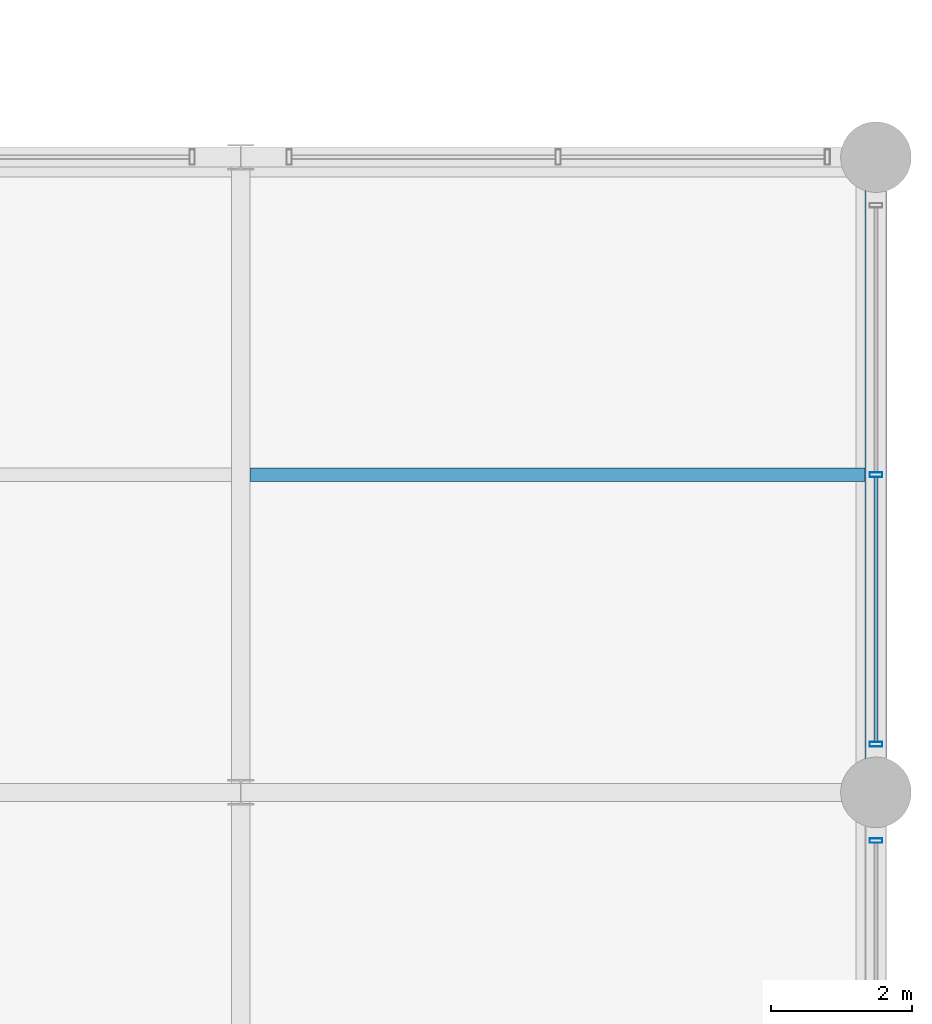
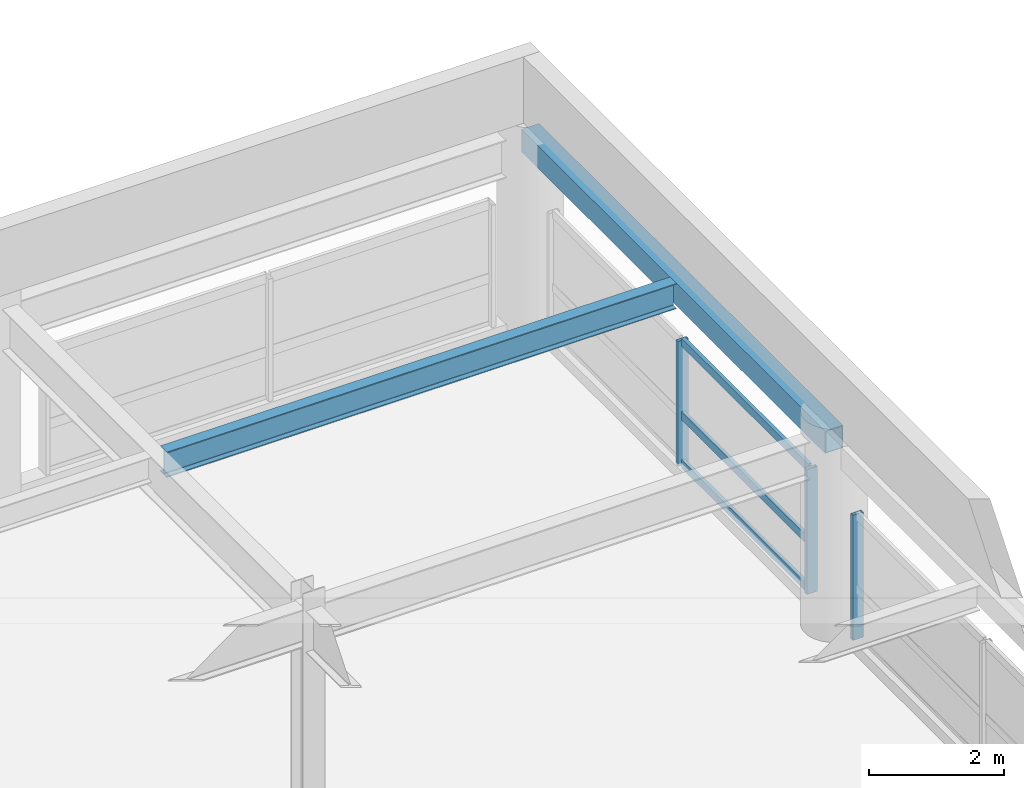
# One storey, part 58 of 108: 6 members, 2 beams, 2 elements without a shape of their own.
"""IFC4 building model written with IfcOpenShell, lengths in metres."""

from ifc_helpers import new_model, si_unit, direction, frame, origin, origin_2d, place, context, subcontext, project, spatial, hollow_rectangle, i_section, extrude, material, material_profile, profile_set, type_object, element, aggregate, save


model = new_model("IFC4")

# Units and contexts
model_context = context("Model", 3, precision=1e-05, world=origin(), true_north=direction((0.0, 1.0)))
body_context = subcontext(model_context, "Body", "Model", "MODEL_VIEW")
ifc_project = project(units=[si_unit("LENGTHUNIT", "METRE"), si_unit("AREAUNIT", "SQUARE_METRE"), si_unit("VOLUMEUNIT", "CUBIC_METRE"), si_unit("PLANEANGLEUNIT", "RADIAN"), si_unit("MASSUNIT", "GRAM", prefix="KILO")], contexts=[model_context])

# Site, building, storey
site_placement = place(None, origin())
site = spatial("IfcSite", under=ifc_project, at=site_placement, CompositionType="ELEMENT")
building_placement = place(site_placement, origin())
building = spatial("IfcBuilding", under=site, at=building_placement, Name="Kaldorvane Square Convention Centre", CompositionType="ELEMENT")
storey_placement = place(building_placement, frame((0.0, 0.0, 23.399993896484375)))
storey = spatial("IfcBuildingStorey", under=building, at=storey_placement, Name="L04", CompositionType="ELEMENT", Elevation=23.399993896484375)

# Beams
ifc_material_1 = material(Name="Steel ASTM A992 Gr. 50", Category="steel")
ifc_material_profile_1 = material_profile(ifc_material_1, i_section(OverallWidth=0.1912994384765625, OverallDepth=0.4600067138671875, WebThickness=0.0099029541015625, FlangeThickness=0.0160064697265625, FilletRadius=0.01019287109375, at=origin_2d()), Name="W18X55")
ifc_profile_set_1 = profile_set([ifc_material_profile_1], Name="Steel ASTM A992 Gr. 50")
beam_type_1 = type_object("IfcBeamType", Name="BM-JS-W18X55", PredefinedType="JOIST", material=ifc_profile_set_1)
beam_1_placement = place(storey_placement, frame((165.13330078125, 31.5, 3.2960052490234375), z_axis=(1.0, 0.0, 0.0), x_axis=(0.0, 1.0, 0.0)))
element("IfcBeam", 1, at=beam_1_placement, inside=storey, type_object=beam_type_1, Name="Secondary Floor Joist (L04)", PredefinedType="JOIST", context=body_context, shape_type="SweptSolid", body=[
    extrude(i_section(OverallWidth=0.1912994384765625, OverallDepth=0.4600067138671875, WebThickness=0.0099029541015625, FlangeThickness=0.0160064697265625, FilletRadius=0.01019287109375, at=origin_2d()), origin(), (0.0, 0.0, 1.0), 8.71429443359375),
])
ifc_material_2 = material(Name="Steel ASTM A500 Gr. C", Category="steel")
ifc_material_profile_2 = material_profile(ifc_material_2, hollow_rectangle(XDim=0.3047943115234375, YDim=0.406402587890625, WallThickness=0.0117950439453125, at=origin_2d()), Name="HSS16X12X1/2")
ifc_profile_set_2 = profile_set([ifc_material_profile_2], Name="Steel ASTM A500 Gr. C")
beam_type_2 = type_object("IfcBeamType", Name="BM-SP-HSS16", PredefinedType="SPANDREL", material=ifc_profile_set_2)
beam_2_placement = place(storey_placement, frame((174.0, 27.0, 3.3227996826171875), z_axis=(0.0, 1.0, 0.0), x_axis=(-1.0, 0.0, 0.0)))
element("IfcBeam", 2, at=beam_2_placement, inside=storey, type_object=beam_type_2, Name="End Spandrel (L04)", PredefinedType="SPANDREL", context=body_context, shape_type="SweptSolid", body=[
    extrude(hollow_rectangle(XDim=0.3047943115234375, YDim=0.406402587890625, WallThickness=0.0117950439453125, at=origin_2d()), origin(), (0.0, 0.0, 1.0), 9.0),
])

# Curtain wall, member
ifc_material_3 = material(Name="Anodized Aluminum and Low-E Insulated Glazing", Category="aluminium")
curtain_wall_type = type_object("IfcCurtainWallType", Name="CW-UNI-P42-09", PredefinedType="USERDEFINED", material=ifc_material_3)
curtain_wall_1_placement = place(storey_placement, origin())
curtain_wall_1 = element("IfcCurtainWall", 3, at=curtain_wall_1_placement, inside=storey, type_object=curtain_wall_type, Name="Curtain Wall CW-06 (L04)", ObjectType="UNITISED GLAZING", PredefinedType="USERDEFINED")
ifc_material_profile_3 = material_profile(ifc_material_3, hollow_rectangle(XDim=0.06500244140625, YDim=0.17999267578125, WallThickness=0.0034942626953125, at=origin_2d()), Name="CWM-180X65")
ifc_profile_set_3 = profile_set([ifc_material_profile_3], Name="Anodized Aluminum and Low-E Insulated Glazing")
member_type_1 = type_object("IfcMemberType", Name="CW-MUL-180", PredefinedType="MULLION", material=ifc_profile_set_3)
member_1_placement = place(storey_placement, frame((174.0, 26.3175048828125, 0.1500091552734375), z_axis=(0.0, 0.0, 1.0), x_axis=(0.0, 1.0, 0.0)))
member_1 = element("IfcMember", 4, at=member_1_placement, type_object=member_type_1, Name="CW-06 mullion 3", PredefinedType="MULLION", context=body_context, shape_type="SweptSolid", body=[
    extrude(hollow_rectangle(XDim=0.06500244140625, YDim=0.17999267578125, WallThickness=0.0034942626953125, at=origin_2d()), origin(), (0.0, 0.0, 1.0), 2.2599945068359375),
])
aggregate(curtain_wall_1, [member_1])

# Curtain wall, members
curtain_wall_2_placement = place(storey_placement, origin())
curtain_wall_2 = element("IfcCurtainWall", 5, at=curtain_wall_2_placement, inside=storey, type_object=curtain_wall_type, Name="Curtain Wall CW-06 (L04)", ObjectType="UNITISED GLAZING", PredefinedType="USERDEFINED")
member_2_placement = place(storey_placement, frame((174.0, 27.6824951171875, 0.1500091552734375), z_axis=(0.0, 0.0, 1.0), x_axis=(0.0, 1.0, 0.0)))
member_2 = element("IfcMember", 6, at=member_2_placement, type_object=member_type_1, Name="CW-06 mullion 1", PredefinedType="MULLION", context=body_context, shape_type="SweptSolid", body=[
    extrude(hollow_rectangle(XDim=0.06500244140625, YDim=0.17999267578125, WallThickness=0.0034942626953125, at=origin_2d()), origin(), (0.0, 0.0, 1.0), 2.2599945068359375),
])
member_3_placement = place(storey_placement, frame((174.0, 31.5, 0.1500091552734375), z_axis=(0.0, 0.0, 1.0), x_axis=(0.0, 1.0, 0.0)))
member_3 = element("IfcMember", 7, at=member_3_placement, type_object=member_type_1, Name="CW-06 mullion 2", PredefinedType="MULLION", context=body_context, shape_type="SweptSolid", body=[
    extrude(hollow_rectangle(XDim=0.06500244140625, YDim=0.17999267578125, WallThickness=0.0034942626953125, at=origin_2d()), origin(), (0.0, 0.0, 1.0), 2.2599945068359375),
])
ifc_material_profile_4 = material_profile(ifc_material_3, hollow_rectangle(XDim=0.05999755859375, YDim=0.149993896484375, WallThickness=0.003204345703125, at=origin_2d()), Name="CWT-150X60")
ifc_profile_set_4 = profile_set([ifc_material_profile_4], Name="Anodized Aluminum and Low-E Insulated Glazing")
member_type_2 = type_object("IfcMemberType", Name="CW-TRN-150", PredefinedType="USERDEFINED", material=ifc_profile_set_4)
member_4_placement = place(storey_placement, frame((174.0, 27.714996337890625, 0.1800079345703125), z_axis=(0.0, 1.0, 0.0), x_axis=(-1.0, 0.0, 0.0)))
member_4 = element("IfcMember", 8, at=member_4_placement, type_object=member_type_2, Name="CW-06 transom 1.1", ObjectType="TRANSOM", PredefinedType="USERDEFINED", context=body_context, shape_type="SweptSolid", body=[
    extrude(hollow_rectangle(XDim=0.05999755859375, YDim=0.149993896484375, WallThickness=0.003204345703125, at=origin_2d()), origin(), (0.0, 0.0, 1.0), 3.75250244140625),
])
member_5_placement = place(storey_placement, frame((174.0, 27.714996337890625, 1.0500030517578125), z_axis=(0.0, 1.0, 0.0), x_axis=(-1.0, 0.0, 0.0)))
member_5 = element("IfcMember", 9, at=member_5_placement, type_object=member_type_2, Name="CW-06 transom 1.2", ObjectType="TRANSOM", PredefinedType="USERDEFINED", context=body_context, shape_type="SweptSolid", body=[
    extrude(hollow_rectangle(XDim=0.05999755859375, YDim=0.149993896484375, WallThickness=0.003204345703125, at=origin_2d()), origin(), (0.0, 0.0, 1.0), 3.75250244140625),
])
member_6_placement = place(storey_placement, frame((174.0, 27.714996337890625, 2.3800048828125), z_axis=(0.0, 1.0, 0.0), x_axis=(-1.0, 0.0, 0.0)))
member_6 = element("IfcMember", 10, at=member_6_placement, type_object=member_type_2, Name="CW-06 transom 1.3", ObjectType="TRANSOM", PredefinedType="USERDEFINED", context=body_context, shape_type="SweptSolid", body=[
    extrude(hollow_rectangle(XDim=0.05999755859375, YDim=0.149993896484375, WallThickness=0.003204345703125, at=origin_2d()), origin(), (0.0, 0.0, 1.0), 3.75250244140625),
])
aggregate(curtain_wall_2, [member_2, member_3, member_4, member_5, member_6])

save(model, "model.ifc")
